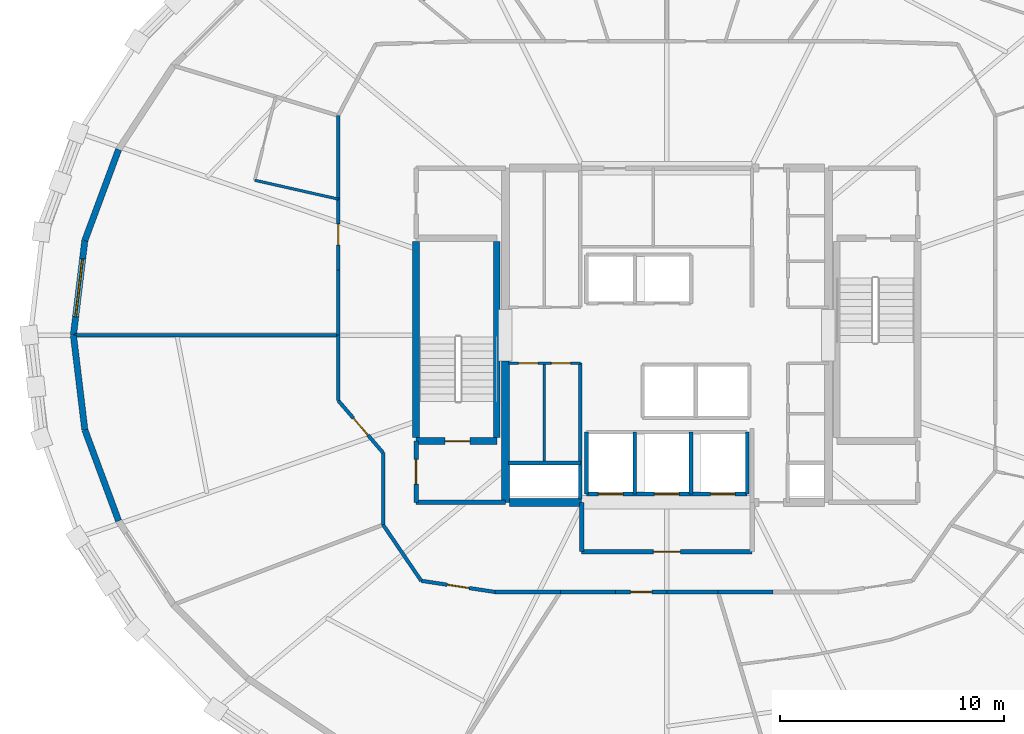
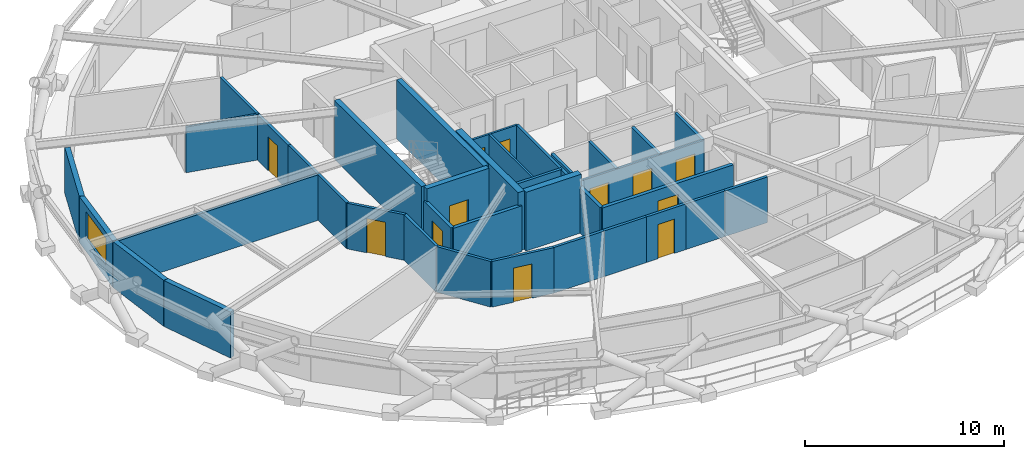
# One storey, part 14 of 21: 37 walls, 12 doors, 1 window, 13 openings.
"""IFC4 building model written with IfcOpenShell, lengths in metres."""

import ifcopenshell
import ifcopenshell.guid

model = None  # the IFC model being written
_history = None  # IfcOwnerHistory: only IFC2X3 demands one
_inside = {}  # id of a spatial element -> (the spatial element, [elements in it])
_under = {}  # id of a project, library or spatial element -> (it, [spatial elements below it])
_declared = {}  # id of a project -> (the project, [libraries it declares])
_typed = {}  # id of a type object -> (the type object, [elements of that type])
_made_of = {}  # id of a material, layer set ... -> (it, [elements and type objects made of it])


def new_model(schema):
    """Start an empty IFC model of exactly this schema.

    Asked for "IFC4X3", IfcOpenShell would pick the latest addendum, in which some entities
    have other attributes; the version numbers below select the first issue.
    IFC2X3 requires an IfcOwnerHistory on every rooted entity: one is made here for all.
    """
    global model, _history
    if schema == "IFC4X3":
        model = ifcopenshell.file(schema_version=(4, 3, 0, 0))
    else:
        model = ifcopenshell.file(schema=schema)
    _inside.clear()
    _under.clear()
    _declared.clear()
    _typed.clear()
    _made_of.clear()
    _history = None
    if model.schema == "IFC2X3":
        org = make("IfcOrganization", Name="unknown")
        user = make(
            "IfcPersonAndOrganization",
            ThePerson=make("IfcPerson", FamilyName="unknown"),
            TheOrganization=org,
        )
        app = make(
            "IfcApplication",
            ApplicationDeveloper=org,
            Version="unknown",
            ApplicationFullName="unknown",
            ApplicationIdentifier="unknown",
        )
        _history = make(
            "IfcOwnerHistory",
            OwningUser=user,
            OwningApplication=app,
            ChangeAction="ADDED",
            CreationDate=0,
        )
    return model


def make(cls, **values):
    """One entity of the class cls with the attributes given. An attribute that is None is left unset."""
    return model.create_entity(
        cls, **{name: value for name, value in values.items() if value is not None}
    )


def rooted(cls, **values):
    """An entity with a GlobalId (a new one), such as an element, a storey or a relation."""
    return make(cls, GlobalId=ifcopenshell.guid.new(), OwnerHistory=_history, **values)


def si_unit(unit_type, name, prefix=None):
    """IfcSIUnit, for example si_unit("LENGTHUNIT", "METRE", prefix="MILLI")."""
    return make("IfcSIUnit", UnitType=unit_type, Prefix=prefix, Name=name)


def assignment(units):
    """IfcUnitAssignment: the units of a project."""
    return None if units is None else make("IfcUnitAssignment", Units=units)


def point(xyz):
    """IfcCartesianPoint."""
    return None if xyz is None else make("IfcCartesianPoint", Coordinates=xyz)


def direction(xyz):
    """IfcDirection."""
    return None if xyz is None else make("IfcDirection", DirectionRatios=xyz)


def frame(location, z_axis=None, x_axis=None):
    """IfcAxis2Placement3D, a coordinate frame: its origin and axes. An axis left out is left unset."""
    return make(
        "IfcAxis2Placement3D",
        Location=point(location),
        Axis=direction(z_axis),
        RefDirection=direction(x_axis),
    )


def frame_2d(location, x_axis=None):
    """IfcAxis2Placement2D, a coordinate frame in the plane: its origin and x axis."""
    return make(
        "IfcAxis2Placement2D", Location=point(location), RefDirection=direction(x_axis)
    )


def origin():
    """The frame at (0, 0, 0) with its axes left unset."""
    return frame((0.0, 0.0, 0.0))


def place(relative_to, where):
    """IfcLocalPlacement: puts the frame where relative to a parent placement (None: the world)."""
    return make(
        "IfcLocalPlacement", PlacementRelTo=relative_to, RelativePlacement=where
    )


def context(
    kind, dimensions, precision=None, world=None, true_north=None, identifier=None
):
    """IfcGeometricRepresentationContext, for example the 3D "Model" context."""
    return make(
        "IfcGeometricRepresentationContext",
        ContextIdentifier=identifier,
        ContextType=kind,
        CoordinateSpaceDimension=dimensions,
        Precision=precision,
        WorldCoordinateSystem=world,
        TrueNorth=true_north,
    )


def subcontext(parent, identifier, kind, view, scale=None):
    """IfcGeometricRepresentationSubContext, for example "Body" below "Model"."""
    return make(
        "IfcGeometricRepresentationSubContext",
        ContextIdentifier=identifier,
        ContextType=kind,
        ParentContext=parent,
        TargetScale=scale,
        TargetView=view,
    )


def project(units=None, contexts=None):
    """IfcProject with its units and contexts."""
    return rooted(
        "IfcProject",
        Name="project",
        RepresentationContexts=contexts,
        UnitsInContext=assignment(units),
    )


def spatial(cls, under=None, at=None, **own):
    """A site, building, storey or space (cls), placed at a placement, below another one or the project."""
    s = rooted(cls, ObjectPlacement=at, **own)
    if under is not None:
        _under.setdefault(under.id(), (under, []))[1].append(s)
    return s


def profile(cls, at=None, kind="AREA", **sizes):
    """A parametric profile (cls). Its sizes go by their IFC names, for example OverallWidth=200.0."""
    return make(cls, ProfileType=kind, Position=at, **sizes)


def rectangle(**sizes):
    """IfcRectangleProfileDef."""
    return profile("IfcRectangleProfileDef", **sizes)


def extrude(swept, where, along, depth):
    """IfcExtrudedAreaSolid: the profile swept, set in the frame where, extruded along a direction by depth."""
    return make(
        "IfcExtrudedAreaSolid",
        SweptArea=swept,
        Position=where,
        ExtrudedDirection=direction(along),
        Depth=depth,
    )


def shape(context_of_items, identifier, shape_type, items):
    """IfcShapeRepresentation: the items that make up one representation, for example the "Body"."""
    return make(
        "IfcShapeRepresentation",
        ContextOfItems=context_of_items,
        RepresentationIdentifier=identifier,
        RepresentationType=shape_type,
        Items=items,
    )


def material(Name=None, Category=None):
    """IfcMaterial."""
    return make("IfcMaterial", Name=Name, Category=Category)


def layer(
    of_material, thickness, ventilated=None, Name=None, Category=None, Priority=None
):
    """IfcMaterialLayer: one layer of a wall or slab, of a material (None: an air gap)."""
    return make(
        "IfcMaterialLayer",
        Material=of_material,
        LayerThickness=thickness,
        IsVentilated=ventilated,
        Name=Name,
        Category=Category,
        Priority=Priority,
    )


def layer_set(layers, Name=None):
    """IfcMaterialLayerSet."""
    return make("IfcMaterialLayerSet", MaterialLayers=layers, LayerSetName=Name)


def made_of(thing, what):
    """Note that an element or type object is made of a material, layer set ...; save() writes the relation."""
    if what is not None:
        _made_of.setdefault(what.id(), (what, []))[1].append(thing)
    return thing


def type_object(cls, material=None, **own):
    """A type object (cls), such as IfcWallType, which elements share."""
    return made_of(rooted(cls, **own), material)


def element(
    cls,
    number,
    at=None,
    inside=None,
    cuts=None,
    type_object=None,
    material=None,
    context=None,
    identifier="Body",
    shape_type=None,
    held_by="IfcProductDefinitionShape",
    body=None,
    shapes=None,
    **own,
):
    """One element of the class cls, such as IfcWall. Its Tag is "e" and its number.

    at: its placement. inside: the storey or other place that contains it. cuts: it is an
    opening in that element (IfcRelVoidsElement). A single representation is given by context,
    identifier, shape_type and body (its items); several are given by shapes. held_by: the class
    of the entity that holds the representations. save() writes the other relations.
    """
    e = rooted(cls, Tag="e%d" % number, ObjectPlacement=at, **own)
    if body is not None:
        shapes = [shape(context, identifier, shape_type, body)]
    if shapes is not None:
        e.Representation = make(held_by, Representations=shapes)
    if inside is not None:
        _inside.setdefault(inside.id(), (inside, []))[1].append(e)
    if cuts is not None:
        rooted(
            "IfcRelVoidsElement", RelatingBuildingElement=cuts, RelatedOpeningElement=e
        )
    if type_object is not None:
        _typed.setdefault(type_object.id(), (type_object, []))[1].append(e)
    return made_of(e, material)


def fill(opening, filler):
    """IfcRelFillsElement: the door or window that sits in an opening."""
    return rooted(
        "IfcRelFillsElement",
        RelatingOpeningElement=opening,
        RelatedBuildingElement=filler,
    )


def aggregate(whole, parts):
    """IfcRelAggregates: a whole, such as a stair, and the parts it consists of."""
    return rooted("IfcRelAggregates", RelatingObject=whole, RelatedObjects=parts)


def save(model, path):
    """Write the relations noted so far, then the file.

    IfcRelAggregates (storeys below a building ...), IfcRelContainedInSpatialStructure (elements
    in a storey), IfcRelDefinesByType, IfcRelAssociatesMaterial and IfcRelDeclares: one each for
    every whole, place, type object, material and project.
    """
    for whole, parts in _under.values():
        aggregate(whole, parts)
    for where, things in _inside.values():
        rooted(
            "IfcRelContainedInSpatialStructure",
            RelatedElements=things,
            RelatingStructure=where,
        )
    for kind, things in _typed.values():
        rooted("IfcRelDefinesByType", RelatedObjects=things, RelatingType=kind)
    for what, things in _made_of.values():
        rooted("IfcRelAssociatesMaterial", RelatedObjects=things, RelatingMaterial=what)
    for by, libraries in _declared.values():
        rooted("IfcRelDeclares", RelatingContext=by, RelatedDefinitions=libraries)
    model.write(path)


model = new_model("IFC4")

# Units and contexts
model_context = context("Model", 3, precision=1e-05, world=origin(), true_north=direction((0.0, 1.0)))
body_context = subcontext(model_context, "Body", "Model", "MODEL_VIEW")
ifc_project = project(units=[si_unit("LENGTHUNIT", "METRE"), si_unit("AREAUNIT", "SQUARE_METRE"), si_unit("VOLUMEUNIT", "CUBIC_METRE"), si_unit("PLANEANGLEUNIT", "RADIAN"), si_unit("MASSUNIT", "GRAM", prefix="KILO")], contexts=[model_context])

# Site, building, storey
site_placement = place(None, origin())
site = spatial("IfcSite", under=ifc_project, at=site_placement, CompositionType="ELEMENT")
building_placement = place(site_placement, origin())
building = spatial("IfcBuilding", under=site, at=building_placement, Name="Veldorina Hangang Commons", CompositionType="ELEMENT")
storey_placement = place(building_placement, frame((0.0, 0.0, 142.39990234375)))
storey = spatial("IfcBuildingStorey", under=building, at=storey_placement, Name="L36", CompositionType="ELEMENT", Elevation=142.39990234375)

# Walls
ifc_material_1 = material(Name="Concrete C60/75", Category="concrete")
ifc_layer_1 = layer(ifc_material_1, 0.360107421875)
ifc_layer_set_1 = layer_set([ifc_layer_1], Name="Concrete C60/75")
wall_type_1 = type_object("IfcWallType", Name="CW-RC360-C60", PredefinedType="SHEAR", material=ifc_layer_set_1)
wall_1_placement = place(storey_placement, frame((24.800048828125, 16.550048828125, 0.0), z_axis=(0.0, 0.0, 1.0), x_axis=(0.0, 1.0, 0.0)))
element("IfcWall", 1, at=wall_1_placement, inside=storey, type_object=wall_type_1, Name="L36 W south core shear wall", PredefinedType="SHEAR", context=body_context, shape_type="SweptSolid", body=[
    extrude(rectangle(XDim=6.300048828125, YDim=0.360107421875, at=frame_2d((3.14990234375, 0.0))), origin(), (0.0, 0.0, 1.0), 3.60009765625),
])
wall_2_placement = place(storey_placement, frame((24.97998046875, 16.550048828125, 0.0), z_axis=(0.0, 0.0, 1.0), x_axis=(1.0, 0.0, 0.0)))
element("IfcWall", 2, at=wall_2_placement, inside=storey, type_object=wall_type_1, Name="L36 south-west core shear wall", PredefinedType="SHEAR", context=body_context, shape_type="SweptSolid", body=[
    extrude(rectangle(XDim=3.219970703125, YDim=0.360107421875, at=frame_2d((1.60986328125, 0.0))), origin(), (0.0, 0.0, 1.0), 3.60009765625),
])
ifc_material_2 = material(Name="Stone Roman Travertine", Category="masonry")
ifc_layer_2 = layer(ifc_material_2, 0.280029296875)
ifc_layer_set_2 = layer_set([ifc_layer_2], Name="Stone Roman Travertine")
wall_type_2 = type_object("IfcWallType", Name="EW-TRAV-280", PredefinedType="STANDARD", material=ifc_layer_set_2)
wall_3_placement = place(storey_placement, frame((7.55908203125, 32.277587890625, 0.0), z_axis=(0.0, 0.0, 1.0), x_axis=(-0.347832416273, -0.937556723719, 0.0)))
element("IfcWall", 3, at=wall_3_placement, inside=storey, type_object=wall_type_2, Name="L36 travertine facade wall 14", PredefinedType="STANDARD", context=body_context, shape_type="SweptSolid", body=[
    extrude(rectangle(XDim=4.327880859375, YDim=0.280029296875, at=frame_2d((2.1640625, 0.0))), origin(), (0.0, 0.0, 1.0), 2.820068359375),
])

# Wall, opening, window
wall_4_placement = place(storey_placement, frame((6.0537109375, 28.219970703125, 0.0), z_axis=(0.0, 0.0, 1.0), x_axis=(-0.119586868896, -0.992823741048, 0.0)))
wall_4 = element("IfcWall", 4, at=wall_4_placement, inside=storey, type_object=wall_type_2, Name="L36 travertine facade wall 15", PredefinedType="STANDARD", context=body_context, shape_type="SweptSolid", body=[
    extrude(rectangle(XDim=4.25048828125, YDim=0.280029296875, at=frame_2d((2.125244140625, 0.0))), origin(), (0.0, 0.0, 1.0), 2.820068359375),
])
opening_1_placement = place(wall_4_placement, frame((0.8251953125, 0.0, 0.800048828125)))
opening_1 = element("IfcOpeningElement", 5, at=opening_1_placement, cuts=wall_4, Name="Opening W-02", PredefinedType="OPENING", context=body_context, shape_type="SweptSolid", body=[
    extrude(rectangle(XDim=2.60009765625, YDim=1.64990234375, at=frame_2d((1.300048828125, 0.824951171875))), frame((0.0, 0.14990234375, 0.0), z_axis=(0.0, -1.0, 0.0), x_axis=(1.0, 0.0, 0.0)), (0.0, 0.0, 1.0), 0.300048828125),
])
ifc_material_3 = material(Name="Glass Low-E Triple IGU", Category="glass")
window_type = type_object("IfcWindowType", Name="WIN-TWR-2600", PartitioningType="SINGLE_PANEL", PredefinedType="WINDOW", material=ifc_material_3)
window_placement = place(opening_1_placement, origin())
window = element("IfcWindow", 6, at=window_placement, inside=storey, type_object=window_type, Name="L36 facade window 15", OverallHeight=1.64990234375, OverallWidth=2.60009765625, PartitioningType="SINGLE_PANEL", PredefinedType="WINDOW", context=body_context, shape_type="SweptSolid", body=[
    extrude(rectangle(XDim=2.60009765625, YDim=1.64990234375, at=frame_2d((1.300048828125, 0.824951171875))), frame((0.0, 0.030029296875, 0.0), z_axis=(0.0, -1.0, 0.0), x_axis=(1.0, 0.0, 0.0)), (0.0, 0.0, 1.0), 0.06005859375),
])
fill(opening_1, window)

# Walls
wall_5_placement = place(storey_placement, frame((5.54541015625, 24.0, 0.0), z_axis=(0.0, 0.0, 1.0), x_axis=(0.119586868896, -0.992823741048, 0.0)))
element("IfcWall", 7, at=wall_5_placement, inside=storey, type_object=wall_type_2, Name="L36 travertine facade wall 16", PredefinedType="STANDARD", context=body_context, shape_type="SweptSolid", body=[
    extrude(rectangle(XDim=4.25048828125, YDim=0.280029296875, at=frame_2d((2.125244140625, 0.0))), origin(), (0.0, 0.0, 1.0), 2.820068359375),
])
wall_6_placement = place(storey_placement, frame((6.0537109375, 19.780029296875, 0.0), z_axis=(0.0, 0.0, 1.0), x_axis=(0.347832416273, -0.937556723719, 0.0)))
element("IfcWall", 8, at=wall_6_placement, inside=storey, type_object=wall_type_2, Name="L36 travertine facade wall 17", PredefinedType="STANDARD", context=body_context, shape_type="SweptSolid", body=[
    extrude(rectangle(XDim=4.327880859375, YDim=0.280029296875, at=frame_2d((2.1640625, 0.0))), origin(), (0.0, 0.0, 1.0), 2.820068359375),
])
ifc_material_4 = material(Name="Concrete C50/60", Category="concrete")
ifc_layer_3 = layer(ifc_material_4, 0.300048828125)
ifc_layer_set_3 = layer_set([ifc_layer_3], Name="Concrete C50/60")
wall_type_3 = type_object("IfcWallType", Name="SW-STAIR-300", PredefinedType="SHEAR", material=ifc_layer_set_3)
for number, where, z_axis, x_axis, name in (
    (9, (20.820068359375, 19.429931640625, 0.0), (0.0, 0.0, 1.0), (0.0, 1.0, 0.0), "L36 ST1 outer stair shear wall"),
    (10, (24.419921875, 19.429931640625, 0.0), (0.0, 0.0, 1.0), (0.0, 1.0, 0.0), "L36 ST1 inner stair shear wall"),
):
    element("IfcWall", number, at=place(storey_placement, frame(where, z_axis=z_axis, x_axis=x_axis)), inside=storey, type_object=wall_type_3, Name=name, PredefinedType="SHEAR", context=body_context, shape_type="SweptSolid", body=[
        extrude(rectangle(XDim=8.739990234375, YDim=0.300048828125, at=frame_2d((4.3701171875, 0.0))), origin(), (0.0, 0.0, 1.0), 3.60009765625),
    ])

# Wall, opening, door
wall_7_placement = place(storey_placement, frame((20.820068359375, 19.280029296875, 0.0), z_axis=(0.0, 0.0, 1.0), x_axis=(1.0, 0.0, 0.0)))
wall_7 = element("IfcWall", 11, at=wall_7_placement, inside=storey, type_object=wall_type_3, Name="L36 ST1 south stair shear wall", PredefinedType="SHEAR", context=body_context, shape_type="SweptSolid", body=[
    extrude(rectangle(XDim=3.599853515625, YDim=0.300048828125, at=frame_2d((1.7998046875, 0.0))), origin(), (0.0, 0.0, 1.0), 3.60009765625),
])
opening_2_placement = place(wall_7_placement, frame((1.300048828125, 0.0, 0.0)))
opening_2 = element("IfcOpeningElement", 12, at=opening_2_placement, cuts=wall_7, Name="Opening D-08", PredefinedType="OPENING", context=body_context, shape_type="SweptSolid", body=[
    extrude(rectangle(XDim=1.10009765625, YDim=2.10009765625, at=frame_2d((0.550048828125, 1.050048828125))), frame((0.0, 0.16015625, 0.0), z_axis=(0.0, -1.0, 0.0), x_axis=(1.0, 0.0, 0.0)), (0.0, 0.0, 1.0), 0.320068359375),
])
ifc_material_5 = material(Name="Steel Fire-Rated Smoke Seal", Category="steel")
door_type_1 = type_object("IfcDoorType", Name="DR-FIRE-1100", OperationType="SINGLE_SWING_RIGHT", PredefinedType="DOOR", material=ifc_material_5)
door_1_placement = place(opening_2_placement, origin())
door_1 = element("IfcDoor", 13, at=door_1_placement, inside=storey, type_object=door_type_1, Name="L36 Special Escape Stair ST-1 door", OperationType="SINGLE_SWING_LEFT", OverallHeight=2.10009765625, OverallWidth=1.10009765625, PredefinedType="DOOR", context=body_context, shape_type="SweptSolid", body=[
    extrude(rectangle(XDim=1.10009765625, YDim=2.10009765625, at=frame_2d((0.550048828125, 1.050048828125))), frame((0.0, 0.02490234375, 0.0), z_axis=(0.0, -1.0, 0.0), x_axis=(1.0, 0.0, 0.0)), (0.0, 0.0, 1.0), 0.050048828125),
])
fill(opening_2, door_1)

# Wall, openings, doors
ifc_material_6 = material(Name="Gypsum Fire-Rated Twin Stud Wall", Category="gypsum")
ifc_layer_4 = layer(ifc_material_6, 0.159912109375)
ifc_layer_set_4 = layer_set([ifc_layer_4], Name="Gypsum Fire-Rated Twin Stud Wall")
wall_type_4 = type_object("IfcWallType", Name="WL-FIRE-160", PredefinedType="SOLIDWALL", material=ifc_layer_set_4)
wall_8_placement = place(storey_placement, frame((28.419921875, 16.919921875, 0.0), z_axis=(0.0, 0.0, 1.0), x_axis=(1.0, 0.0, 0.0)))
wall_8 = element("IfcWall", 14, at=wall_8_placement, inside=storey, type_object=wall_type_4, Name="L36 Emergency front shaft wall 025", PredefinedType="SOLIDWALL", context=body_context, shape_type="SweptSolid", body=[
    extrude(rectangle(XDim=7.16015625, YDim=0.159912109375, at=frame_2d((3.580078125, 0.0))), origin(), (0.0, 0.0, 1.0), 2.800048828125),
])
opening_3_placement = place(wall_8_placement, frame((0.530029296875, 0.0, 0.0)))
opening_3 = element("IfcOpeningElement", 15, at=opening_3_placement, cuts=wall_8, Name="Opening LD-03", PredefinedType="OPENING", context=body_context, shape_type="SweptSolid", body=[
    extrude(rectangle(XDim=1.10009765625, YDim=2.14990234375, at=frame_2d((0.550048828125, 1.074951171875))), frame((0.0, 0.08984375, 0.0), z_axis=(0.0, -1.0, 0.0), x_axis=(1.0, 0.0, 0.0)), (0.0, 0.0, 1.0), 0.179931640625),
])
opening_4_placement = place(wall_8_placement, frame((3.030029296875, 0.0, 0.0)))
opening_4 = element("IfcOpeningElement", 16, at=opening_4_placement, cuts=wall_8, Name="Opening LD-03", PredefinedType="OPENING", context=body_context, shape_type="SweptSolid", body=[
    extrude(rectangle(XDim=1.10009765625, YDim=2.14990234375, at=frame_2d((0.550048828125, 1.074951171875))), frame((0.0, 0.08984375, 0.0), z_axis=(0.0, -1.0, 0.0), x_axis=(1.0, 0.0, 0.0)), (0.0, 0.0, 1.0), 0.179931640625),
])
opening_5_placement = place(wall_8_placement, frame((5.530029296875, 0.0, 0.0)))
opening_5 = element("IfcOpeningElement", 17, at=opening_5_placement, cuts=wall_8, Name="Opening LD-03", PredefinedType="OPENING", context=body_context, shape_type="SweptSolid", body=[
    extrude(rectangle(XDim=1.10009765625, YDim=2.14990234375, at=frame_2d((0.550048828125, 1.074951171875))), frame((0.0, 0.08984375, 0.0), z_axis=(0.0, -1.0, 0.0), x_axis=(1.0, 0.0, 0.0)), (0.0, 0.0, 1.0), 0.179931640625),
])
ifc_material_7 = material(Name="Stainless Steel Firefighting Lift Door", Category="steel")
door_type_2 = type_object("IfcDoorType", Name="DR-LIFT-FF1100", OperationType="SLIDING_TO_RIGHT", PredefinedType="DOOR", material=ifc_material_7)
door_2_placement = place(opening_3_placement, origin())
door_2 = element("IfcDoor", 18, at=door_2_placement, inside=storey, type_object=door_type_2, Name="L36 Emergency lift FFL-1 landing door 008", OperationType="SLIDING_TO_RIGHT", OverallHeight=2.14990234375, OverallWidth=1.10009765625, PredefinedType="DOOR", context=body_context, shape_type="SweptSolid", body=[
    extrude(rectangle(XDim=1.10009765625, YDim=2.14990234375, at=frame_2d((0.550048828125, 1.074951171875))), frame((0.0, 0.02490234375, 0.0), z_axis=(0.0, -1.0, 0.0), x_axis=(1.0, 0.0, 0.0)), (0.0, 0.0, 1.0), 0.050048828125),
])
fill(opening_3, door_2)
door_3_placement = place(opening_4_placement, origin())
door_3 = element("IfcDoor", 19, at=door_3_placement, inside=storey, type_object=door_type_2, Name="L36 Emergency lift FFL-2 landing door 009", OperationType="SLIDING_TO_RIGHT", OverallHeight=2.14990234375, OverallWidth=1.10009765625, PredefinedType="DOOR", context=body_context, shape_type="SweptSolid", body=[
    extrude(rectangle(XDim=1.10009765625, YDim=2.14990234375, at=frame_2d((0.550048828125, 1.074951171875))), frame((0.0, 0.02490234375, 0.0), z_axis=(0.0, -1.0, 0.0), x_axis=(1.0, 0.0, 0.0)), (0.0, 0.0, 1.0), 0.050048828125),
])
fill(opening_4, door_3)
door_4_placement = place(opening_5_placement, origin())
door_4 = element("IfcDoor", 20, at=door_4_placement, inside=storey, type_object=door_type_2, Name="L36 Emergency lift EVL-1 landing door 010", OperationType="SLIDING_TO_RIGHT", OverallHeight=2.14990234375, OverallWidth=1.10009765625, PredefinedType="DOOR", context=body_context, shape_type="SweptSolid", body=[
    extrude(rectangle(XDim=1.10009765625, YDim=2.14990234375, at=frame_2d((0.550048828125, 1.074951171875))), frame((0.0, 0.02490234375, 0.0), z_axis=(0.0, -1.0, 0.0), x_axis=(1.0, 0.0, 0.0)), (0.0, 0.0, 1.0), 0.050048828125),
])
fill(opening_5, door_4)

# Walls
for number, where, z_axis, x_axis, name in (
    (21, (28.419921875, 16.919921875, 0.0), (0.0, 0.0, 1.0), (0.0, 1.0, 0.0), "L36 FFL-1 west shaft wall 027"),
    (22, (30.580078125, 16.919921875, 0.0), (0.0, 0.0, 1.0), (0.0, 1.0, 0.0), "L36 FFL-1 east shaft wall 028"),
    (23, (33.080078125, 16.919921875, 0.0), (0.0, 0.0, 1.0), (0.0, 1.0, 0.0), "L36 FFL-2 east shaft wall 029"),
    (24, (35.580078125, 16.919921875, 0.0), (0.0, 0.0, 1.0), (0.0, 1.0, 0.0), "L36 EVL-1 east shaft wall 030"),
):
    element("IfcWall", number, at=place(storey_placement, frame(where, z_axis=z_axis, x_axis=x_axis)), inside=storey, type_object=wall_type_4, Name=name, PredefinedType="SOLIDWALL", context=body_context, shape_type="SweptSolid", body=[
        extrude(rectangle(XDim=2.760009765625, YDim=0.159912109375, at=frame_2d((1.3798828125, 0.0))), origin(), (0.0, 0.0, 1.0), 2.800048828125),
    ])
wall_9_placement = place(storey_placement, frame((24.949951171875, 18.300048828125, 0.0), z_axis=(0.0, 0.0, 1.0), x_axis=(1.0, 0.0, 0.0)))
element("IfcWall", 25, at=wall_9_placement, inside=storey, type_object=wall_type_4, Name="L36 Electrical riser wall 035", PredefinedType="SOLIDWALL", context=body_context, shape_type="SweptSolid", body=[
    extrude(rectangle(XDim=3.199951171875, YDim=0.159912109375, at=frame_2d((1.60009765625, 0.0))), origin(), (0.0, 0.0, 1.0), 2.800048828125),
])
wall_10_placement = place(storey_placement, frame((28.14990234375, 16.699951171875, 0.0), z_axis=(0.0, 0.0, 1.0), x_axis=(0.0, 1.0, 0.0)))
element("IfcWall", 26, at=wall_10_placement, inside=storey, type_object=wall_type_4, Name="L36 SW core inner wall 036", PredefinedType="SOLIDWALL", context=body_context, shape_type="SweptSolid", body=[
    extrude(rectangle(XDim=6.050048828125, YDim=0.159912109375, at=frame_2d((3.02490234375, 0.0))), origin(), (0.0, 0.0, 1.0), 2.800048828125),
])
wall_11_placement = place(storey_placement, frame((17.35009765625, 33.788818359375, 0.0), z_axis=(0.0, 0.0, 1.0), x_axis=(0.0, -1.0, 0.0)))
element("IfcWall", 27, at=wall_11_placement, inside=storey, type_object=wall_type_4, Name="L36 U-corridor outer wall 13 063", PredefinedType="SOLIDWALL", context=body_context, shape_type="SweptSolid", body=[
    extrude(rectangle(XDim=3.720703125, YDim=0.159912109375, at=frame_2d((1.8603515625, 0.0))), origin(), (0.0, 0.0, 1.0), 2.800048828125),
])

# Wall, opening, door
wall_12_placement = place(storey_placement, frame((17.35009765625, 30.068115234375, 0.0), z_axis=(0.0, 0.0, 1.0), x_axis=(0.0, -1.0, 0.0)))
wall_12 = element("IfcWall", 28, at=wall_12_placement, inside=storey, type_object=wall_type_4, Name="L36 U-corridor outer wall 14 064", PredefinedType="SOLIDWALL", context=body_context, shape_type="SweptSolid", body=[
    extrude(rectangle(XDim=3.154052734375, YDim=0.159912109375, at=frame_2d((1.5771484375, 0.0))), origin(), (0.0, 0.0, 1.0), 2.800048828125),
])
opening_6_placement = place(wall_12_placement, frame((1.10205078125, 0.0, 0.0)))
opening_6 = element("IfcOpeningElement", 29, at=opening_6_placement, cuts=wall_12, Name="Opening D-03", PredefinedType="OPENING", context=body_context, shape_type="SweptSolid", body=[
    extrude(rectangle(XDim=0.949951171875, YDim=2.10009765625, at=frame_2d((0.47509765625, 1.050048828125))), frame((0.0, 0.08984375, 0.0), z_axis=(0.0, -1.0, 0.0), x_axis=(1.0, 0.0, 0.0)), (0.0, 0.0, 1.0), 0.179931640625),
])
ifc_material_8 = material(Name="Timber Fire-Rated Entrance Core", Category="wood")
door_type_3 = type_object("IfcDoorType", Name="DR-UNIT-950", OperationType="SINGLE_SWING_RIGHT", PredefinedType="DOOR", material=ifc_material_8)
door_5_placement = place(opening_6_placement, origin())
door_5 = element("IfcDoor", 30, at=door_5_placement, inside=storey, type_object=door_type_3, Name="L36 Studio 7 entrance door 041", OperationType="SINGLE_SWING_LEFT", OverallHeight=2.10009765625, OverallWidth=0.949951171875, PredefinedType="DOOR", context=body_context, shape_type="SweptSolid", body=[
    extrude(rectangle(XDim=0.949951171875, YDim=2.10009765625, at=frame_2d((0.47509765625, 1.050048828125))), frame((0.0, 0.02490234375, 0.0), z_axis=(0.0, -1.0, 0.0), x_axis=(1.0, 0.0, 0.0)), (0.0, 0.0, 1.0), 0.050048828125),
])
fill(opening_6, door_5)

# Walls
for number, where, z_axis, x_axis, name in (
    (31, (17.35009765625, 26.9140625, 0.0), (0.0, 0.0, 1.0), (0.0, -1.0, 0.0), "L36 U-corridor outer wall 15 065"),
    (32, (17.35009765625, 24.0, 0.0), (0.0, 0.0, 1.0), (0.0, -1.0, 0.0), "L36 U-corridor outer wall 16 066"),
):
    element("IfcWall", number, at=place(storey_placement, frame(where, z_axis=z_axis, x_axis=x_axis)), inside=storey, type_object=wall_type_4, Name=name, PredefinedType="SOLIDWALL", context=body_context, shape_type="SweptSolid", body=[
        extrude(rectangle(XDim=2.9140625, YDim=0.159912109375, at=frame_2d((1.45703125, 0.0))), origin(), (0.0, 0.0, 1.0), 2.800048828125),
    ])

# Wall, opening, door
wall_13_placement = place(storey_placement, frame((17.35009765625, 21.0859375, 0.0), z_axis=(0.0, 0.0, 1.0), x_axis=(0.652022797448, -0.758199361388, 0.0)))
wall_13 = element("IfcWall", 33, at=wall_13_placement, inside=storey, type_object=wall_type_4, Name="L36 U-corridor outer wall 17 067", PredefinedType="SOLIDWALL", context=body_context, shape_type="SweptSolid", body=[
    extrude(rectangle(XDim=3.0673828125, YDim=0.159912109375, at=frame_2d((1.53369140625, 0.0))), origin(), (0.0, 0.0, 1.0), 2.800048828125),
])
opening_7_placement = place(wall_13_placement, frame((1.03369140625, 0.0, 0.0)))
opening_7 = element("IfcOpeningElement", 34, at=opening_7_placement, cuts=wall_13, Name="Opening D-05", PredefinedType="OPENING", context=body_context, shape_type="SweptSolid", body=[
    extrude(rectangle(XDim=1.0, YDim=2.10009765625, at=frame_2d((0.5, 1.050048828125))), frame((0.0, 0.08984375, 0.0), z_axis=(0.0, -1.0, 0.0), x_axis=(1.0, 0.0, 0.0)), (0.0, 0.0, 1.0), 0.179931640625),
])
ifc_material_9 = material(Name="Timber Solid Core Acoustic", Category="wood")
door_type_4 = type_object("IfcDoorType", Name="DR-INT-1000", OperationType="SINGLE_SWING_RIGHT", PredefinedType="DOOR", material=ifc_material_9)
door_6_placement = place(opening_7_placement, origin())
door_6 = element("IfcDoor", 35, at=door_6_placement, inside=storey, type_object=door_type_4, Name="L36 Floor Study Room 8 door 042", OperationType="SINGLE_SWING_RIGHT", OverallHeight=2.10009765625, OverallWidth=1.0, PredefinedType="DOOR", context=body_context, shape_type="SweptSolid", body=[
    extrude(rectangle(XDim=1.0, YDim=2.10009765625, at=frame_2d((0.5, 1.050048828125))), frame((0.0, 0.02490234375, 0.0), z_axis=(0.0, -1.0, 0.0), x_axis=(1.0, 0.0, 0.0)), (0.0, 0.0, 1.0), 0.050048828125),
])
fill(opening_7, door_6)

# Walls
wall_14_placement = place(storey_placement, frame((19.35009765625, 18.76025390625, 0.0), z_axis=(0.0, 0.0, 1.0), x_axis=(0.0, -1.0, 0.0)))
element("IfcWall", 36, at=wall_14_placement, inside=storey, type_object=wall_type_4, Name="L36 U-corridor outer wall 18 068", PredefinedType="SOLIDWALL", context=body_context, shape_type="SweptSolid", body=[
    extrude(rectangle(XDim=3.212646484375, YDim=0.159912109375, at=frame_2d((1.6064453125, 0.0))), origin(), (0.0, 0.0, 1.0), 2.800048828125),
])
wall_15_placement = place(storey_placement, frame((19.35009765625, 15.547607421875, 0.0), z_axis=(0.0, 0.0, 1.0), x_axis=(0.562674669208, -0.826678423955, 0.0)))
element("IfcWall", 37, at=wall_15_placement, inside=storey, type_object=wall_type_4, Name="L36 U-corridor outer wall 19 069", PredefinedType="SOLIDWALL", context=body_context, shape_type="SweptSolid", body=[
    extrude(rectangle(XDim=3.021240234375, YDim=0.159912109375, at=frame_2d((1.5107421875, 0.0))), origin(), (0.0, 0.0, 1.0), 2.800048828125),
])

# Wall, opening, door
wall_16_placement = place(storey_placement, frame((21.050048828125, 13.050048828125, 0.0), z_axis=(0.0, 0.0, 1.0), x_axis=(0.988710906508, -0.149835721217, 0.0)))
wall_16 = element("IfcWall", 38, at=wall_16_placement, inside=storey, type_object=wall_type_4, Name="L36 U-corridor outer wall 20 070", PredefinedType="SOLIDWALL", context=body_context, shape_type="SweptSolid", body=[
    extrude(rectangle(XDim=3.3369140625, YDim=0.159912109375, at=frame_2d((1.66845703125, 0.0))), origin(), (0.0, 0.0, 1.0), 2.800048828125),
])
opening_8_placement = place(wall_16_placement, frame((1.16845703125, 0.0, 0.0)))
opening_8 = element("IfcOpeningElement", 39, at=opening_8_placement, cuts=wall_16, Name="Opening D-05", PredefinedType="OPENING", context=body_context, shape_type="SweptSolid", body=[
    extrude(rectangle(XDim=1.0, YDim=2.10009765625, at=frame_2d((0.5, 1.050048828125))), frame((0.0, 0.08984375, 0.0), z_axis=(0.0, -1.0, 0.0), x_axis=(1.0, 0.0, 0.0)), (0.0, 0.0, 1.0), 0.179931640625),
])
door_7_placement = place(opening_8_placement, origin())
door_7 = element("IfcDoor", 40, at=door_7_placement, inside=storey, type_object=door_type_4, Name="L36 Floor Study Room 9 door 043", OperationType="SINGLE_SWING_LEFT", OverallHeight=2.10009765625, OverallWidth=1.0, PredefinedType="DOOR", context=body_context, shape_type="SweptSolid", body=[
    extrude(rectangle(XDim=1.0, YDim=2.10009765625, at=frame_2d((0.5, 1.050048828125))), frame((0.0, 0.02490234375, 0.0), z_axis=(0.0, -1.0, 0.0), x_axis=(1.0, 0.0, 0.0)), (0.0, 0.0, 1.0), 0.050048828125),
])
fill(opening_8, door_7)

# Walls
wall_17_placement = place(storey_placement, frame((24.349365234375, 12.550048828125, 0.0), z_axis=(0.0, 0.0, 1.0), x_axis=(1.0, 0.0, 0.0)))
element("IfcWall", 41, at=wall_17_placement, inside=storey, type_object=wall_type_4, Name="L36 U-corridor outer wall 21 071", PredefinedType="SOLIDWALL", context=body_context, shape_type="SweptSolid", body=[
    extrude(rectangle(XDim=2.907958984375, YDim=0.159912109375, at=frame_2d((1.4541015625, 0.0))), origin(), (0.0, 0.0, 1.0), 2.800048828125),
])
wall_18_placement = place(storey_placement, frame((27.25732421875, 12.550048828125, 0.0), z_axis=(0.0, 0.0, 1.0), x_axis=(1.0, 0.0, 0.0)))
element("IfcWall", 42, at=wall_18_placement, inside=storey, type_object=wall_type_4, Name="L36 U-corridor outer wall 22 072", PredefinedType="SOLIDWALL", context=body_context, shape_type="SweptSolid", body=[
    extrude(rectangle(XDim=2.465087890625, YDim=0.159912109375, at=frame_2d((1.232421875, 0.0))), origin(), (0.0, 0.0, 1.0), 2.800048828125),
])

# Wall, opening, door
wall_19_placement = place(storey_placement, frame((29.722412109375, 12.550048828125, 0.0), z_axis=(0.0, 0.0, 1.0), x_axis=(1.0, 0.0, 0.0)))
wall_19 = element("IfcWall", 43, at=wall_19_placement, inside=storey, type_object=wall_type_4, Name="L36 U-corridor outer wall 23 073", PredefinedType="SOLIDWALL", context=body_context, shape_type="SweptSolid", body=[
    extrude(rectangle(XDim=2.277587890625, YDim=0.159912109375, at=frame_2d((1.138671875, 0.0))), origin(), (0.0, 0.0, 1.0), 2.800048828125),
])
opening_9_placement = place(wall_19_placement, frame((0.663818359375, 0.0, 0.0)))
opening_9 = element("IfcOpeningElement", 44, at=opening_9_placement, cuts=wall_19, Name="Opening D-02", PredefinedType="OPENING", context=body_context, shape_type="SweptSolid", body=[
    extrude(rectangle(XDim=0.949951171875, YDim=2.10009765625, at=frame_2d((0.47509765625, 1.050048828125))), frame((0.0, 0.08984375, 0.0), z_axis=(0.0, -1.0, 0.0), x_axis=(1.0, 0.0, 0.0)), (0.0, 0.0, 1.0), 0.179931640625),
])
door_type_5 = type_object("IfcDoorType", Name="DR-INT-950", OperationType="SINGLE_SWING_LEFT", PredefinedType="DOOR", material=ifc_material_9)
door_8_placement = place(opening_9_placement, origin())
door_8 = element("IfcDoor", 45, at=door_8_placement, inside=storey, type_object=door_type_5, Name="L36 Linen drying store door 044", OperationType="SINGLE_SWING_RIGHT", OverallHeight=2.10009765625, OverallWidth=0.949951171875, PredefinedType="DOOR", context=body_context, shape_type="SweptSolid", body=[
    extrude(rectangle(XDim=0.949951171875, YDim=2.10009765625, at=frame_2d((0.47509765625, 1.050048828125))), frame((0.0, 0.02490234375, 0.0), z_axis=(0.0, -1.0, 0.0), x_axis=(1.0, 0.0, 0.0)), (0.0, 0.0, 1.0), 0.050048828125),
])
fill(opening_9, door_8)

# Walls
wall_20_placement = place(storey_placement, frame((32.0, 12.550048828125, 0.0), z_axis=(0.0, 0.0, 1.0), x_axis=(1.0, 0.0, 0.0)))
element("IfcWall", 46, at=wall_20_placement, inside=storey, type_object=wall_type_4, Name="L36 U-corridor outer wall 24 074", PredefinedType="SOLIDWALL", context=body_context, shape_type="SweptSolid", body=[
    extrude(rectangle(XDim=2.277587890625, YDim=0.159912109375, at=frame_2d((1.138671875, 0.0))), origin(), (0.0, 0.0, 1.0), 2.800048828125),
])
wall_21_placement = place(storey_placement, frame((34.277587890625, 12.550048828125, 0.0), z_axis=(0.0, 0.0, 1.0), x_axis=(1.0, 0.0, 0.0)))
element("IfcWall", 47, at=wall_21_placement, inside=storey, type_object=wall_type_4, Name="L36 U-corridor outer wall 25 075", PredefinedType="SOLIDWALL", context=body_context, shape_type="SweptSolid", body=[
    extrude(rectangle(XDim=2.465087890625, YDim=0.159912109375, at=frame_2d((1.232421875, 0.0))), origin(), (0.0, 0.0, 1.0), 2.800048828125),
])
wall_22_placement = place(storey_placement, frame((17.35009765625, 24.0, 0.0), z_axis=(0.0, 0.0, 1.0), x_axis=(-1.0, 0.0, 0.0)))
element("IfcWall", 48, at=wall_22_placement, inside=storey, type_object=wall_type_4, Name="L36 Unit party wall 16 115", PredefinedType="SOLIDWALL", context=body_context, shape_type="SweptSolid", body=[
    extrude(rectangle(XDim=11.754638671875, YDim=0.159912109375, at=frame_2d((5.87744140625, 0.0))), origin(), (0.0, 0.0, 1.0), 2.800048828125),
])

# Wall, opening, door
ifc_material_10 = material(Name="Concrete Blockwork Fire Wall C30/37", Category="masonry")
ifc_layer_5 = layer(ifc_material_10, 0.199951171875)
ifc_layer_set_5 = layer_set([ifc_layer_5], Name="Concrete Blockwork Fire Wall C30/37")
wall_type_5 = type_object("IfcWallType", Name="WL-FIRE-200", PredefinedType="SOLIDWALL", material=ifc_layer_set_5)
wall_23_placement = place(storey_placement, frame((20.820068359375, 16.550048828125, 0.0), z_axis=(0.0, 0.0, 1.0), x_axis=(0.0, 1.0, 0.0)))
wall_23 = element("IfcWall", 49, at=wall_23_placement, inside=storey, type_object=wall_type_5, Name="L36 West vestibule outer wall 001", PredefinedType="SOLIDWALL", context=body_context, shape_type="SweptSolid", body=[
    extrude(rectangle(XDim=2.72998046875, YDim=0.199951171875, at=frame_2d((1.364990234375, 0.0))), origin(), (0.0, 0.0, 1.0), 2.800048828125),
])
opening_10_placement = place(wall_23_placement, frame((0.81494140625, 0.0, 0.0)))
opening_10 = element("IfcOpeningElement", 50, at=opening_10_placement, cuts=wall_23, Name="Opening D-08", PredefinedType="OPENING", context=body_context, shape_type="SweptSolid", body=[
    extrude(rectangle(XDim=1.10009765625, YDim=2.10009765625, at=frame_2d((0.550048828125, 1.050048828125))), frame((0.0, 0.10986328125, 0.0), z_axis=(0.0, -1.0, 0.0), x_axis=(1.0, 0.0, 0.0)), (0.0, 0.0, 1.0), 0.219970703125),
])
door_9_placement = place(opening_10_placement, origin())
door_9 = element("IfcDoor", 51, at=door_9_placement, inside=storey, type_object=door_type_1, Name="L36 West vestibule west door 001", OperationType="SINGLE_SWING_LEFT", OverallHeight=2.10009765625, OverallWidth=1.10009765625, PredefinedType="DOOR", context=body_context, shape_type="SweptSolid", body=[
    extrude(rectangle(XDim=1.10009765625, YDim=2.10009765625, at=frame_2d((0.550048828125, 1.050048828125))), frame((0.0, 0.02490234375, 0.0), z_axis=(0.0, -1.0, 0.0), x_axis=(1.0, 0.0, 0.0)), (0.0, 0.0, 1.0), 0.050048828125),
])
fill(opening_10, door_9)

# Walls
wall_24_placement = place(storey_placement, frame((20.820068359375, 16.550048828125, 0.0), z_axis=(0.0, 0.0, 1.0), x_axis=(1.0, 0.0, 0.0)))
element("IfcWall", 52, at=wall_24_placement, inside=storey, type_object=wall_type_5, Name="L36 West vestibule south wall 002", PredefinedType="SOLIDWALL", context=body_context, shape_type="SweptSolid", body=[
    extrude(rectangle(XDim=3.97998046875, YDim=0.199951171875, at=frame_2d((1.989990234375, 0.0))), origin(), (0.0, 0.0, 1.0), 2.800048828125),
])
wall_25_placement = place(storey_placement, frame((28.199951171875, 14.35009765625, 0.0), z_axis=(0.0, 0.0, 1.0), x_axis=(0.0, 1.0, 0.0)))
element("IfcWall", 53, at=wall_25_placement, inside=storey, type_object=wall_type_5, Name="L36 FF lobby west wall 012", PredefinedType="SOLIDWALL", context=body_context, shape_type="SweptSolid", body=[
    extrude(rectangle(XDim=2.199951171875, YDim=0.199951171875, at=frame_2d((1.10009765625, 0.0))), origin(), (0.0, 0.0, 1.0), 2.800048828125),
])

# Wall, opening, door
wall_26_placement = place(storey_placement, frame((28.199951171875, 14.35009765625, 0.0), z_axis=(0.0, 0.0, 1.0), x_axis=(1.0, 0.0, 0.0)))
wall_26 = element("IfcWall", 54, at=wall_26_placement, inside=storey, type_object=wall_type_5, Name="L36 FF lobby south wall 014", PredefinedType="SOLIDWALL", context=body_context, shape_type="SweptSolid", body=[
    extrude(rectangle(XDim=7.60009765625, YDim=0.199951171875, at=frame_2d((3.800048828125, 0.0))), origin(), (0.0, 0.0, 1.0), 2.800048828125),
])
opening_11_placement = place(wall_26_placement, frame((3.199951171875, 0.0, 0.0)))
opening_11 = element("IfcOpeningElement", 55, at=opening_11_placement, cuts=wall_26, Name="Opening D-09", PredefinedType="OPENING", context=body_context, shape_type="SweptSolid", body=[
    extrude(rectangle(XDim=1.199951171875, YDim=2.10009765625, at=frame_2d((0.60009765625, 1.050048828125))), frame((0.0, 0.10986328125, 0.0), z_axis=(0.0, -1.0, 0.0), x_axis=(1.0, 0.0, 0.0)), (0.0, 0.0, 1.0), 0.219970703125),
])
ifc_material_11 = material(Name="Steel Fire-Rated Corridor Door", Category="steel")
door_type_6 = type_object("IfcDoorType", Name="DR-FIRE-1200", OperationType="SINGLE_SWING_LEFT", PredefinedType="DOOR", material=ifc_material_11)
door_10_placement = place(opening_11_placement, origin())
door_10 = element("IfcDoor", 56, at=door_10_placement, inside=storey, type_object=door_type_6, Name="L36 FF lobby south corridor door 005", OperationType="SINGLE_SWING_LEFT", OverallHeight=2.10009765625, OverallWidth=1.199951171875, PredefinedType="DOOR", context=body_context, shape_type="SweptSolid", body=[
    extrude(rectangle(XDim=1.199951171875, YDim=2.10009765625, at=frame_2d((0.60009765625, 1.050048828125))), frame((0.0, 0.02490234375, 0.0), z_axis=(0.0, -1.0, 0.0), x_axis=(1.0, 0.0, 0.0)), (0.0, 0.0, 1.0), 0.050048828125),
])
fill(opening_11, door_10)

# Wall, openings, doors
ifc_material_12 = material(Name="Gypsum Acoustic Stud Partition", Category="gypsum")
ifc_layer_6 = layer(ifc_material_12, 0.1201171875)
ifc_layer_set_6 = layer_set([ifc_layer_6], Name="Gypsum Acoustic Stud Partition")
wall_type_6 = type_object("IfcWallType", Name="WL-PART-120", PredefinedType="PARTITIONING", material=ifc_layer_set_6)
wall_27_placement = place(storey_placement, frame((24.949951171875, 22.75, 0.0), z_axis=(0.0, 0.0, 1.0), x_axis=(1.0, 0.0, 0.0)))
wall_27 = element("IfcWall", 57, at=wall_27_placement, inside=storey, type_object=wall_type_6, Name="L36 SW service north wall 040", PredefinedType="PARTITIONING", context=body_context, shape_type="SweptSolid", body=[
    extrude(rectangle(XDim=3.199951171875, YDim=0.1201171875, at=frame_2d((1.60009765625, 0.0))), origin(), (0.0, 0.0, 1.0), 2.800048828125),
])
opening_12_placement = place(wall_27_placement, frame((0.43994140625, 0.0, 0.0)))
opening_12 = element("IfcOpeningElement", 58, at=opening_12_placement, cuts=wall_27, Name="Opening D-01", PredefinedType="OPENING", context=body_context, shape_type="SweptSolid", body=[
    extrude(rectangle(XDim=0.860107421875, YDim=2.10009765625, at=frame_2d((0.43017578125, 1.050048828125))), frame((0.0, 0.070068359375, 0.0), z_axis=(0.0, -1.0, 0.0), x_axis=(1.0, 0.0, 0.0)), (0.0, 0.0, 1.0), 0.14013671875),
])
opening_13_placement = place(wall_27_placement, frame((1.89990234375, 0.0, 0.0)))
opening_13 = element("IfcOpeningElement", 59, at=opening_13_placement, cuts=wall_27, Name="Opening D-01", PredefinedType="OPENING", context=body_context, shape_type="SweptSolid", body=[
    extrude(rectangle(XDim=0.860107421875, YDim=2.10009765625, at=frame_2d((0.43017578125, 1.050048828125))), frame((0.0, 0.070068359375, 0.0), z_axis=(0.0, -1.0, 0.0), x_axis=(1.0, 0.0, 0.0)), (0.0, 0.0, 1.0), 0.14013671875),
])
ifc_material_13 = material(Name="Timber Moisture-Resistant Core", Category="wood")
door_type_7 = type_object("IfcDoorType", Name="DR-WET-860", OperationType="SINGLE_SWING_LEFT", PredefinedType="DOOR", material=ifc_material_13)
door_11_placement = place(opening_12_placement, origin())
door_11 = element("IfcDoor", 60, at=door_11_placement, inside=storey, type_object=door_type_7, Name="L36 Cleaners door 015", OperationType="SINGLE_SWING_LEFT", OverallHeight=2.10009765625, OverallWidth=0.860107421875, PredefinedType="DOOR", context=body_context, shape_type="SweptSolid", body=[
    extrude(rectangle(XDim=0.860107421875, YDim=2.10009765625, at=frame_2d((0.43017578125, 1.050048828125))), frame((0.0, 0.02490234375, 0.0), z_axis=(0.0, -1.0, 0.0), x_axis=(1.0, 0.0, 0.0)), (0.0, 0.0, 1.0), 0.050048828125),
])
fill(opening_12, door_11)
door_12_placement = place(opening_13_placement, origin())
door_12 = element("IfcDoor", 61, at=door_12_placement, inside=storey, type_object=door_type_7, Name="L36 Metering door 016", OperationType="SINGLE_SWING_RIGHT", OverallHeight=2.10009765625, OverallWidth=0.860107421875, PredefinedType="DOOR", context=body_context, shape_type="SweptSolid", body=[
    extrude(rectangle(XDim=0.860107421875, YDim=2.10009765625, at=frame_2d((0.43017578125, 1.050048828125))), frame((0.0, 0.02490234375, 0.0), z_axis=(0.0, -1.0, 0.0), x_axis=(1.0, 0.0, 0.0)), (0.0, 0.0, 1.0), 0.050048828125),
])
fill(opening_13, door_12)

# Walls
wall_28_placement = place(storey_placement, frame((26.530029296875, 18.300048828125, 0.0), z_axis=(0.0, 0.0, 1.0), x_axis=(0.0, 1.0, 0.0)))
element("IfcWall", 62, at=wall_28_placement, inside=storey, type_object=wall_type_6, Name="L36 SW vertical split 046", PredefinedType="PARTITIONING", context=body_context, shape_type="SweptSolid", body=[
    extrude(rectangle(XDim=4.449951171875, YDim=0.1201171875, at=frame_2d((2.22509765625, 0.0))), origin(), (0.0, 0.0, 1.0), 2.800048828125),
])
wall_29_placement = place(storey_placement, frame((17.35009765625, 30.068115234375, 0.0), z_axis=(0.0, 0.0, 1.0), x_axis=(-0.975472488796, 0.220121383791, 0.0)))
element("IfcWall", 63, at=wall_29_placement, inside=storey, type_object=wall_type_6, Name="L36 Studio 7 bath side wall 114", PredefinedType="PARTITIONING", context=body_context, shape_type="SweptSolid", body=[
    extrude(rectangle(XDim=3.814208984375, YDim=0.1201171875, at=frame_2d((1.9072265625, 0.0))), origin(), (0.0, 0.0, 1.0), 2.800048828125),
])

save(model, "model.ifc")
